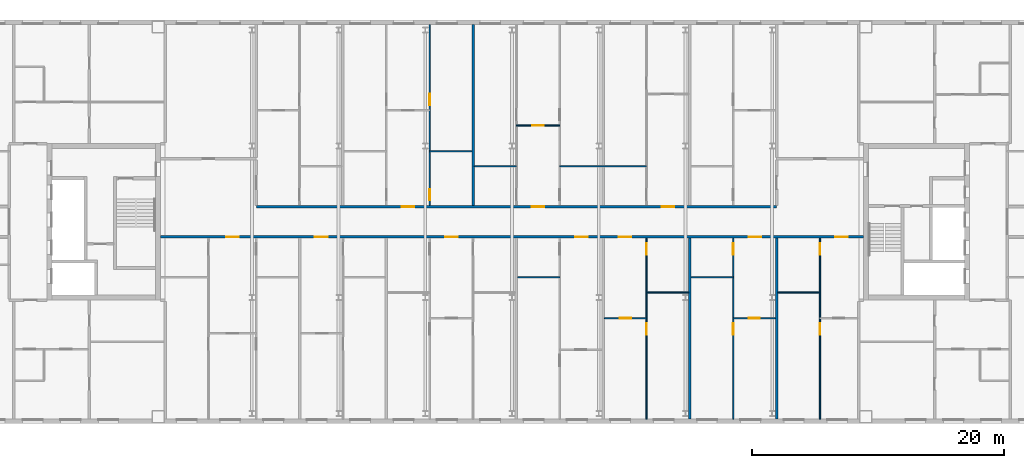
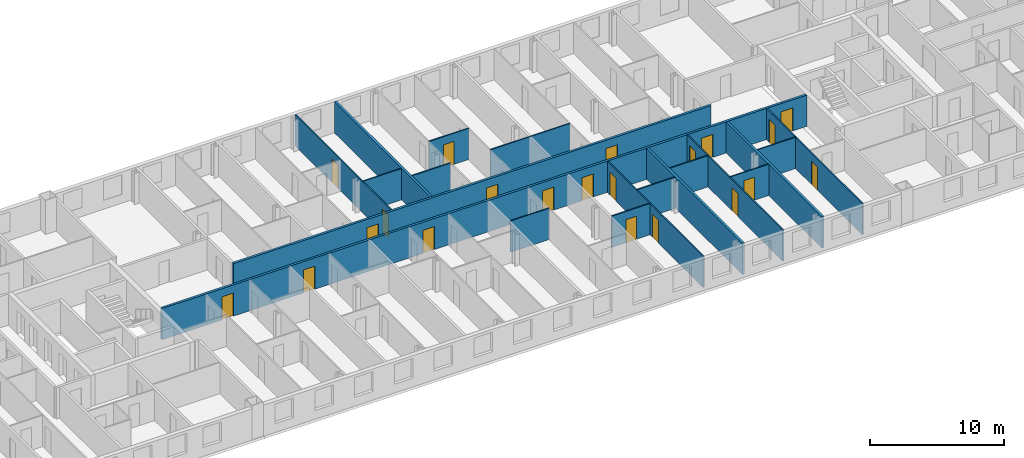
# One storey, part 11 of 19: 21 doors, 19 walls, 21 openings.
"""IFC4 building model written with IfcOpenShell, lengths in metres."""

from ifc_helpers import new_model, si_unit, direction, frame, frame_2d, origin, place, context, subcontext, project, spatial, rectangle, extrude, material, layer, layer_set, type_object, element, fill, save


model = new_model("IFC4")

# Units and contexts
model_context = context("Model", 3, precision=1e-05, world=origin(), true_north=direction((0.0, 1.0)))
body_context = subcontext(model_context, "Body", "Model", "MODEL_VIEW")
ifc_project = project(units=[si_unit("LENGTHUNIT", "METRE"), si_unit("AREAUNIT", "SQUARE_METRE"), si_unit("VOLUMEUNIT", "CUBIC_METRE"), si_unit("PLANEANGLEUNIT", "RADIAN"), si_unit("MASSUNIT", "GRAM", prefix="KILO")], contexts=[model_context])

# Site, building, storey
site_placement = place(None, origin())
site = spatial("IfcSite", under=ifc_project, at=site_placement, CompositionType="ELEMENT")
building_placement = place(site_placement, origin())
building = spatial("IfcBuilding", under=site, at=building_placement, Name="Tuart Gate Housing", CompositionType="ELEMENT")
storey_placement = place(building_placement, frame((0.0, 0.0, 233.800048828125)))
storey = spatial("IfcBuildingStorey", under=building, at=storey_placement, Name="L66", CompositionType="ELEMENT", Elevation=233.800048828125)

# Wall, openings, doors
ifc_material_1 = material(Name="Concrete masonry 15 MPa", Category="masonry")
ifc_layer_1 = layer(ifc_material_1, 0.199951171875)
ifc_layer_set_1 = layer_set([ifc_layer_1], Name="Corridor wall masonry 200")
wall_type_1 = type_object("IfcWallType", Name="Corridor wall masonry 200", PredefinedType="PARTITIONING", material=ifc_layer_set_1)
wall_1_placement = place(storey_placement, frame((75.639892578125, 68.800048828125, 0.0), z_axis=(0.0, 0.0, 1.0), x_axis=(1.0, 0.0, 0.0)))
wall_1 = element("IfcWall", 1, at=wall_1_placement, inside=storey, type_object=wall_type_1, Name="Corridor wall masonry 200", PredefinedType="PARTITIONING", context=body_context, shape_type="SweptSolid", body=[
    extrude(rectangle(XDim=55.72021484375, YDim=0.199951171875, at=frame_2d((27.860107421875, 0.0))), origin(), (0.0, 0.0, 1.0), 2.849853515625),
])
opening_1_placement = place(wall_1_placement, frame((5.19140625, 0.0, 0.0)))
opening_1 = element("IfcOpeningElement", 2, at=opening_1_placement, cuts=wall_1, Name="Opening D2525", PredefinedType="OPENING", context=body_context, shape_type="SweptSolid", body=[
    extrude(rectangle(XDim=1.0, YDim=2.10009765625, at=frame_2d((0.5, 1.050048828125))), frame((0.0, 0.10986328125, 0.0), z_axis=(0.0, -1.0, 0.0), x_axis=(1.0, 0.0, 0.0)), (0.0, 0.0, 1.0), 0.219970703125),
])
opening_2_placement = place(wall_1_placement, frame((12.240966796875, 0.0, 0.0)))
opening_2 = element("IfcOpeningElement", 3, at=opening_2_placement, cuts=wall_1, Name="Opening D2526", PredefinedType="OPENING", context=body_context, shape_type="SweptSolid", body=[
    extrude(rectangle(XDim=1.0, YDim=2.10009765625, at=frame_2d((0.5, 1.050048828125))), frame((0.0, 0.10986328125, 0.0), z_axis=(0.0, -1.0, 0.0), x_axis=(1.0, 0.0, 0.0)), (0.0, 0.0, 1.0), 0.219970703125),
])
opening_3_placement = place(wall_1_placement, frame((22.553466796875, 0.0, 0.0)))
opening_3 = element("IfcOpeningElement", 4, at=opening_3_placement, cuts=wall_1, Name="Opening D2527", PredefinedType="OPENING", context=body_context, shape_type="SweptSolid", body=[
    extrude(rectangle(XDim=1.0, YDim=2.10009765625, at=frame_2d((0.5, 1.050048828125))), frame((0.0, 0.10986328125, 0.0), z_axis=(0.0, -1.0, 0.0), x_axis=(1.0, 0.0, 0.0)), (0.0, 0.0, 1.0), 0.219970703125),
])
opening_4_placement = place(wall_1_placement, frame((32.865966796875, 0.0, 0.0)))
opening_4 = element("IfcOpeningElement", 5, at=opening_4_placement, cuts=wall_1, Name="Opening D2528", PredefinedType="OPENING", context=body_context, shape_type="SweptSolid", body=[
    extrude(rectangle(XDim=1.0, YDim=2.10009765625, at=frame_2d((0.5, 1.050048828125))), frame((0.0, 0.10986328125, 0.0), z_axis=(0.0, -1.0, 0.0), x_axis=(1.0, 0.0, 0.0)), (0.0, 0.0, 1.0), 0.219970703125),
])
opening_5_placement = place(wall_1_placement, frame((36.303466796875, 0.0, 0.0)))
opening_5 = element("IfcOpeningElement", 6, at=opening_5_placement, cuts=wall_1, Name="Opening D2529", PredefinedType="OPENING", context=body_context, shape_type="SweptSolid", body=[
    extrude(rectangle(XDim=1.0, YDim=2.10009765625, at=frame_2d((0.5, 1.050048828125))), frame((0.0, 0.10986328125, 0.0), z_axis=(0.0, -1.0, 0.0), x_axis=(1.0, 0.0, 0.0)), (0.0, 0.0, 1.0), 0.219970703125),
])
opening_6_placement = place(wall_1_placement, frame((46.615966796875, 0.0, 0.0)))
opening_6 = element("IfcOpeningElement", 7, at=opening_6_placement, cuts=wall_1, Name="Opening D2530", PredefinedType="OPENING", context=body_context, shape_type="SweptSolid", body=[
    extrude(rectangle(XDim=1.0, YDim=2.10009765625, at=frame_2d((0.5, 1.050048828125))), frame((0.0, 0.10986328125, 0.0), z_axis=(0.0, -1.0, 0.0), x_axis=(1.0, 0.0, 0.0)), (0.0, 0.0, 1.0), 0.219970703125),
])
opening_7_placement = place(wall_1_placement, frame((53.49609375, 0.0, 0.0)))
opening_7 = element("IfcOpeningElement", 8, at=opening_7_placement, cuts=wall_1, Name="Opening D2531", PredefinedType="OPENING", context=body_context, shape_type="SweptSolid", body=[
    extrude(rectangle(XDim=1.0, YDim=2.10009765625, at=frame_2d((0.5, 1.050048828125))), frame((0.0, 0.10986328125, 0.0), z_axis=(0.0, -1.0, 0.0), x_axis=(1.0, 0.0, 0.0)), (0.0, 0.0, 1.0), 0.219970703125),
])
ifc_material_2 = material(Name="Timber door leaf in steel frame", Category="steel")
door_type_1 = type_object("IfcDoorType", Name="Flat entrance door 1000 RH", OperationType="SINGLE_SWING_RIGHT", PredefinedType="DOOR", material=ifc_material_2)
door_1_placement = place(opening_1_placement, frame((1.0, 0.0, 0.0), z_axis=(0.0, 0.0, 1.0), x_axis=(-1.0, 0.0, 0.0)))
door_1 = element("IfcDoor", 9, at=door_1_placement, inside=storey, type_object=door_type_1, Name="Flat entrance door", OperationType="SINGLE_SWING_RIGHT", OverallHeight=2.10009765625, OverallWidth=1.0, PredefinedType="DOOR", context=body_context, shape_type="SweptSolid", body=[
    extrude(rectangle(XDim=1.0, YDim=2.10009765625, at=frame_2d((0.5, 1.050048828125))), frame((0.0, 0.025146484375, 0.0), z_axis=(0.0, -1.0, 0.0), x_axis=(1.0, 0.0, 0.0)), (0.0, 0.0, 1.0), 0.050048828125),
])
fill(opening_1, door_1)
door_2_placement = place(opening_2_placement, frame((1.0, 0.0, 0.0), z_axis=(0.0, 0.0, 1.0), x_axis=(-1.0, 0.0, 0.0)))
door_2 = element("IfcDoor", 10, at=door_2_placement, inside=storey, type_object=door_type_1, Name="Flat entrance door", OperationType="SINGLE_SWING_RIGHT", OverallHeight=2.10009765625, OverallWidth=1.0, PredefinedType="DOOR", context=body_context, shape_type="SweptSolid", body=[
    extrude(rectangle(XDim=1.0, YDim=2.10009765625, at=frame_2d((0.5, 1.050048828125))), frame((0.0, 0.025146484375, 0.0), z_axis=(0.0, -1.0, 0.0), x_axis=(1.0, 0.0, 0.0)), (0.0, 0.0, 1.0), 0.050048828125),
])
fill(opening_2, door_2)
door_3_placement = place(opening_3_placement, frame((1.0, 0.0, 0.0), z_axis=(0.0, 0.0, 1.0), x_axis=(-1.0, 0.0, 0.0)))
door_3 = element("IfcDoor", 11, at=door_3_placement, inside=storey, type_object=door_type_1, Name="Flat entrance door", OperationType="SINGLE_SWING_RIGHT", OverallHeight=2.10009765625, OverallWidth=1.0, PredefinedType="DOOR", context=body_context, shape_type="SweptSolid", body=[
    extrude(rectangle(XDim=1.0, YDim=2.10009765625, at=frame_2d((0.5, 1.050048828125))), frame((0.0, 0.025146484375, 0.0), z_axis=(0.0, -1.0, 0.0), x_axis=(1.0, 0.0, 0.0)), (0.0, 0.0, 1.0), 0.050048828125),
])
fill(opening_3, door_3)
door_4_placement = place(opening_4_placement, frame((1.0, 0.0, 0.0), z_axis=(0.0, 0.0, 1.0), x_axis=(-1.0, 0.0, 0.0)))
door_4 = element("IfcDoor", 12, at=door_4_placement, inside=storey, type_object=door_type_1, Name="Flat entrance door", OperationType="SINGLE_SWING_RIGHT", OverallHeight=2.10009765625, OverallWidth=1.0, PredefinedType="DOOR", context=body_context, shape_type="SweptSolid", body=[
    extrude(rectangle(XDim=1.0, YDim=2.10009765625, at=frame_2d((0.5, 1.050048828125))), frame((0.0, 0.025146484375, 0.0), z_axis=(0.0, -1.0, 0.0), x_axis=(1.0, 0.0, 0.0)), (0.0, 0.0, 1.0), 0.050048828125),
])
fill(opening_4, door_4)
door_5_placement = place(opening_5_placement, frame((1.0, 0.0, 0.0), z_axis=(0.0, 0.0, 1.0), x_axis=(-1.0, 0.0, 0.0)))
door_5 = element("IfcDoor", 13, at=door_5_placement, inside=storey, type_object=door_type_1, Name="Flat entrance door", OperationType="SINGLE_SWING_RIGHT", OverallHeight=2.10009765625, OverallWidth=1.0, PredefinedType="DOOR", context=body_context, shape_type="SweptSolid", body=[
    extrude(rectangle(XDim=1.0, YDim=2.10009765625, at=frame_2d((0.5, 1.050048828125))), frame((0.0, 0.025146484375, 0.0), z_axis=(0.0, -1.0, 0.0), x_axis=(1.0, 0.0, 0.0)), (0.0, 0.0, 1.0), 0.050048828125),
])
fill(opening_5, door_5)
door_6_placement = place(opening_6_placement, frame((1.0, 0.0, 0.0), z_axis=(0.0, 0.0, 1.0), x_axis=(-1.0, 0.0, 0.0)))
door_6 = element("IfcDoor", 14, at=door_6_placement, inside=storey, type_object=door_type_1, Name="Flat entrance door", OperationType="SINGLE_SWING_RIGHT", OverallHeight=2.10009765625, OverallWidth=1.0, PredefinedType="DOOR", context=body_context, shape_type="SweptSolid", body=[
    extrude(rectangle(XDim=1.0, YDim=2.10009765625, at=frame_2d((0.5, 1.050048828125))), frame((0.0, 0.025146484375, 0.0), z_axis=(0.0, -1.0, 0.0), x_axis=(1.0, 0.0, 0.0)), (0.0, 0.0, 1.0), 0.050048828125),
])
fill(opening_6, door_6)
door_7_placement = place(opening_7_placement, frame((1.0, 0.0, 0.0), z_axis=(0.0, 0.0, 1.0), x_axis=(-1.0, 0.0, 0.0)))
door_7 = element("IfcDoor", 15, at=door_7_placement, inside=storey, type_object=door_type_1, Name="Flat entrance door", OperationType="SINGLE_SWING_RIGHT", OverallHeight=2.10009765625, OverallWidth=1.0, PredefinedType="DOOR", context=body_context, shape_type="SweptSolid", body=[
    extrude(rectangle(XDim=1.0, YDim=2.10009765625, at=frame_2d((0.5, 1.050048828125))), frame((0.0, 0.025146484375, 0.0), z_axis=(0.0, -1.0, 0.0), x_axis=(1.0, 0.0, 0.0)), (0.0, 0.0, 1.0), 0.050048828125),
])
fill(opening_7, door_7)

wall_2_placement = place(storey_placement, frame((83.22509765625, 71.199951171875, 0.0), z_axis=(0.0, 0.0, 1.0), x_axis=(1.0, 0.0, 0.0)))
wall_2 = element("IfcWall", 16, at=wall_2_placement, inside=storey, type_object=wall_type_1, Name="Corridor wall masonry 200", PredefinedType="PARTITIONING", context=body_context, shape_type="SweptSolid", body=[
    extrude(rectangle(XDim=41.25, YDim=0.199951171875, at=frame_2d((20.625, 0.0))), origin(), (0.0, 0.0, 1.0), 2.849853515625),
])
opening_8_placement = place(wall_2_placement, frame((11.531005859375, 0.0, 0.0)))
opening_8 = element("IfcOpeningElement", 17, at=opening_8_placement, cuts=wall_2, Name="Opening D2522", PredefinedType="OPENING", context=body_context, shape_type="SweptSolid", body=[
    extrude(rectangle(XDim=1.0, YDim=2.10009765625, at=frame_2d((0.5, 1.050048828125))), frame((0.0, 0.10986328125, 0.0), z_axis=(0.0, -1.0, 0.0), x_axis=(1.0, 0.0, 0.0)), (0.0, 0.0, 1.0), 0.219970703125),
])
opening_9_placement = place(wall_2_placement, frame((21.843505859375, 0.0, 0.0)))
opening_9 = element("IfcOpeningElement", 18, at=opening_9_placement, cuts=wall_2, Name="Opening D2523", PredefinedType="OPENING", context=body_context, shape_type="SweptSolid", body=[
    extrude(rectangle(XDim=1.0, YDim=2.10009765625, at=frame_2d((0.5, 1.050048828125))), frame((0.0, 0.10986328125, 0.0), z_axis=(0.0, -1.0, 0.0), x_axis=(1.0, 0.0, 0.0)), (0.0, 0.0, 1.0), 0.219970703125),
])
opening_10_placement = place(wall_2_placement, frame((32.156005859375, 0.0, 0.0)))
opening_10 = element("IfcOpeningElement", 19, at=opening_10_placement, cuts=wall_2, Name="Opening D2524", PredefinedType="OPENING", context=body_context, shape_type="SweptSolid", body=[
    extrude(rectangle(XDim=1.0, YDim=2.10009765625, at=frame_2d((0.5, 1.050048828125))), frame((0.0, 0.10986328125, 0.0), z_axis=(0.0, -1.0, 0.0), x_axis=(1.0, 0.0, 0.0)), (0.0, 0.0, 1.0), 0.219970703125),
])
ifc_material_3 = material(Name="Timber door leaf in steel frame", Category="steel")
door_type_2 = type_object("IfcDoorType", Name="Flat entrance door 1000", OperationType="SINGLE_SWING_LEFT", PredefinedType="DOOR", material=ifc_material_3)
door_8_placement = place(opening_8_placement, origin())
door_8 = element("IfcDoor", 20, at=door_8_placement, inside=storey, type_object=door_type_2, Name="Flat entrance door", OperationType="SINGLE_SWING_LEFT", OverallHeight=2.10009765625, OverallWidth=1.0, PredefinedType="DOOR", context=body_context, shape_type="SweptSolid", body=[
    extrude(rectangle(XDim=1.0, YDim=2.10009765625, at=frame_2d((0.5, 1.050048828125))), frame((0.0, 0.02490234375, 0.0), z_axis=(0.0, -1.0, 0.0), x_axis=(1.0, 0.0, 0.0)), (0.0, 0.0, 1.0), 0.050048828125),
])
fill(opening_8, door_8)
door_9_placement = place(opening_9_placement, origin())
door_9 = element("IfcDoor", 21, at=door_9_placement, inside=storey, type_object=door_type_2, Name="Flat entrance door", OperationType="SINGLE_SWING_LEFT", OverallHeight=2.10009765625, OverallWidth=1.0, PredefinedType="DOOR", context=body_context, shape_type="SweptSolid", body=[
    extrude(rectangle(XDim=1.0, YDim=2.10009765625, at=frame_2d((0.5, 1.050048828125))), frame((0.0, 0.02490234375, 0.0), z_axis=(0.0, -1.0, 0.0), x_axis=(1.0, 0.0, 0.0)), (0.0, 0.0, 1.0), 0.050048828125),
])
fill(opening_9, door_9)
door_10_placement = place(opening_10_placement, origin())
door_10 = element("IfcDoor", 22, at=door_10_placement, inside=storey, type_object=door_type_2, Name="Flat entrance door", OperationType="SINGLE_SWING_LEFT", OverallHeight=2.10009765625, OverallWidth=1.0, PredefinedType="DOOR", context=body_context, shape_type="SweptSolid", body=[
    extrude(rectangle(XDim=1.0, YDim=2.10009765625, at=frame_2d((0.5, 1.050048828125))), frame((0.0, 0.02490234375, 0.0), z_axis=(0.0, -1.0, 0.0), x_axis=(1.0, 0.0, 0.0)), (0.0, 0.0, 1.0), 0.050048828125),
])
fill(opening_10, door_10)

# Wall, opening, door
ifc_material_4 = material(Name="Gypsum board on steel studs", Category="steel")
ifc_layer_2 = layer(ifc_material_4, 0.10009765625)
ifc_layer_set_2 = layer_set([ifc_layer_2], Name="Partition 100")
wall_type_2 = type_object("IfcWallType", Name="Partition 100", PredefinedType="PARTITIONING", material=ifc_layer_set_2)
wall_3_placement = place(storey_placement, frame((110.824951171875, 62.360107421875, 0.0), z_axis=(0.0, 0.0, 1.0), x_axis=(1.0, 0.0, 0.0)))
wall_3 = element("IfcWall", 23, at=wall_3_placement, inside=storey, type_object=wall_type_2, Name="Partition 100", PredefinedType="PARTITIONING", context=body_context, shape_type="SweptSolid", body=[
    extrude(rectangle(XDim=3.337158203125, YDim=0.10009765625, at=frame_2d((1.66845703125, 0.0))), origin(), (0.0, 0.0, 1.0), 2.849853515625),
])
opening_11_placement = place(wall_3_placement, frame((1.218505859375, 0.0, 0.0)))
opening_11 = element("IfcOpeningElement", 24, at=opening_11_placement, cuts=wall_3, Name="Opening D2533", PredefinedType="OPENING", context=body_context, shape_type="SweptSolid", body=[
    extrude(rectangle(XDim=0.89990234375, YDim=2.10009765625, at=frame_2d((0.449951171875, 1.050048828125))), frame((0.0, 0.06005859375, 0.0), z_axis=(0.0, -1.0, 0.0), x_axis=(1.0, 0.0, 0.0)), (0.0, 0.0, 1.0), 0.1201171875),
])
ifc_material_5 = material(Name="Timber door leaf in steel frame", Category="steel")
door_type_3 = type_object("IfcDoorType", Name="Internal door 900 RH", OperationType="SINGLE_SWING_RIGHT", PredefinedType="DOOR", material=ifc_material_5)
door_11_placement = place(opening_11_placement, origin())
door_11 = element("IfcDoor", 25, at=door_11_placement, inside=storey, type_object=door_type_3, Name="Internal door", OperationType="SINGLE_SWING_RIGHT", OverallHeight=2.10009765625, OverallWidth=0.89990234375, PredefinedType="DOOR", context=body_context, shape_type="SweptSolid", body=[
    extrude(rectangle(XDim=0.89990234375, YDim=2.10009765625, at=frame_2d((0.449951171875, 1.050048828125))), frame((0.0, 0.02490234375, 0.0), z_axis=(0.0, -1.0, 0.0), x_axis=(1.0, 0.0, 0.0)), (0.0, 0.0, 1.0), 0.050048828125),
])
fill(opening_11, door_11)

wall_4_placement = place(storey_placement, frame((121.037109375, 62.360107421875, 0.0), z_axis=(0.0, 0.0, 1.0), x_axis=(1.0, 0.0, 0.0)))
wall_4 = element("IfcWall", 26, at=wall_4_placement, inside=storey, type_object=wall_type_2, Name="Partition 100", PredefinedType="PARTITIONING", context=body_context, shape_type="SweptSolid", body=[
    extrude(rectangle(XDim=3.337890625, YDim=0.10009765625, at=frame_2d((1.6689453125, 0.0))), origin(), (0.0, 0.0, 1.0), 2.849853515625),
])
opening_12_placement = place(wall_4_placement, frame((1.218994140625, 0.0, 0.0)))
opening_12 = element("IfcOpeningElement", 27, at=opening_12_placement, cuts=wall_4, Name="Opening D2534", PredefinedType="OPENING", context=body_context, shape_type="SweptSolid", body=[
    extrude(rectangle(XDim=0.89990234375, YDim=2.10009765625, at=frame_2d((0.449951171875, 1.050048828125))), frame((0.0, 0.06005859375, 0.0), z_axis=(0.0, -1.0, 0.0), x_axis=(1.0, 0.0, 0.0)), (0.0, 0.0, 1.0), 0.1201171875),
])
ifc_material_6 = material(Name="Timber door leaf in steel frame", Category="steel")
door_type_4 = type_object("IfcDoorType", Name="Internal door 900", OperationType="SINGLE_SWING_LEFT", PredefinedType="DOOR", material=ifc_material_6)
door_12_placement = place(opening_12_placement, origin())
door_12 = element("IfcDoor", 28, at=door_12_placement, inside=storey, type_object=door_type_4, Name="Internal door", OperationType="SINGLE_SWING_LEFT", OverallHeight=2.10009765625, OverallWidth=0.89990234375, PredefinedType="DOOR", context=body_context, shape_type="SweptSolid", body=[
    extrude(rectangle(XDim=0.89990234375, YDim=2.10009765625, at=frame_2d((0.449951171875, 1.050048828125))), frame((0.0, 0.02490234375, 0.0), z_axis=(0.0, -1.0, 0.0), x_axis=(1.0, 0.0, 0.0)), (0.0, 0.0, 1.0), 0.050048828125),
])
fill(opening_12, door_12)

# Walls
wall_5_placement = place(storey_placement, frame((114.162109375, 64.39990234375, 0.0), z_axis=(0.0, 0.0, 1.0), x_axis=(1.0, 0.0, 0.0)))
element("IfcWall", 29, at=wall_5_placement, inside=storey, type_object=wall_type_2, Name="Partition 100", PredefinedType="PARTITIONING", context=body_context, shape_type="SweptSolid", body=[
    extrude(rectangle(XDim=3.337890625, YDim=0.10009765625, at=frame_2d((1.6689453125, 0.0))), origin(), (0.0, 0.0, 1.0), 2.849853515625),
])
for number, where, z_axis, x_axis, name in (
    (30, (124.574951171875, 64.39990234375, 0.0), (0.0, 0.0, 1.0), (1.0, 0.0, 0.0), "Partition 100"),
    (31, (103.949951171875, 65.60009765625, 0.0), (0.0, 0.0, 1.0), (1.0, 0.0, 0.0), "Partition 100"),
    (32, (117.699951171875, 65.60009765625, 0.0), (0.0, 0.0, 1.0), (1.0, 0.0, 0.0), "Partition 100"),
):
    element("IfcWall", number, at=place(storey_placement, frame(where, z_axis=z_axis, x_axis=x_axis)), inside=storey, type_object=wall_type_2, Name=name, PredefinedType="PARTITIONING", context=body_context, shape_type="SweptSolid", body=[
        extrude(rectangle(XDim=3.337158203125, YDim=0.10009765625, at=frame_2d((1.66845703125, 0.0))), origin(), (0.0, 0.0, 1.0), 2.849853515625),
    ])
wall_6_placement = place(storey_placement, frame((100.511962890625, 74.39990234375, 0.0), z_axis=(0.0, 0.0, 1.0), x_axis=(1.0, 0.0, 0.0)))
element("IfcWall", 33, at=wall_6_placement, inside=storey, type_object=wall_type_2, Name="Partition 100", PredefinedType="PARTITIONING", context=body_context, shape_type="SweptSolid", body=[
    extrude(rectangle(XDim=3.338134765625, YDim=0.10009765625, at=frame_2d((1.6689453125, 0.0))), origin(), (0.0, 0.0, 1.0), 2.849853515625),
])
wall_7_placement = place(storey_placement, frame((107.287109375, 74.39990234375, 0.0), z_axis=(0.0, 0.0, 1.0), x_axis=(1.0, 0.0, 0.0)))
element("IfcWall", 34, at=wall_7_placement, inside=storey, type_object=wall_type_2, Name="Partition 100", PredefinedType="PARTITIONING", context=body_context, shape_type="SweptSolid", body=[
    extrude(rectangle(XDim=6.875, YDim=0.10009765625, at=frame_2d((3.4375, 0.0))), origin(), (0.0, 0.0, 1.0), 2.849853515625),
])
wall_8_placement = place(storey_placement, frame((96.97509765625, 75.60009765625, 0.0), z_axis=(0.0, 0.0, 1.0), x_axis=(1.0, 0.0, 0.0)))
element("IfcWall", 35, at=wall_8_placement, inside=storey, type_object=wall_type_2, Name="Partition 100", PredefinedType="PARTITIONING", context=body_context, shape_type="SweptSolid", body=[
    extrude(rectangle(XDim=3.3369140625, YDim=0.10009765625, at=frame_2d((1.66845703125, 0.0))), origin(), (0.0, 0.0, 1.0), 2.849853515625),
])

# Wall, opening, door
wall_9_placement = place(storey_placement, frame((103.85009765625, 77.639892578125, 0.0), z_axis=(0.0, 0.0, 1.0), x_axis=(1.0, 0.0, 0.0)))
wall_9 = element("IfcWall", 36, at=wall_9_placement, inside=storey, type_object=wall_type_2, Name="Partition 100", PredefinedType="PARTITIONING", context=body_context, shape_type="SweptSolid", body=[
    extrude(rectangle(XDim=3.43701171875, YDim=0.10009765625, at=frame_2d((1.718505859375, 0.0))), origin(), (0.0, 0.0, 1.0), 2.849853515625),
])
opening_13_placement = place(wall_9_placement, frame((1.2685546875, 0.0, 0.0)))
opening_13 = element("IfcOpeningElement", 37, at=opening_13_placement, cuts=wall_9, Name="Opening D2517", PredefinedType="OPENING", context=body_context, shape_type="SweptSolid", body=[
    extrude(rectangle(XDim=0.89990234375, YDim=2.10009765625, at=frame_2d((0.449951171875, 1.050048828125))), frame((0.0, 0.06005859375, 0.0), z_axis=(0.0, -1.0, 0.0), x_axis=(1.0, 0.0, 0.0)), (0.0, 0.0, 1.0), 0.1201171875),
])
door_13_placement = place(opening_13_placement, frame((0.89990234375, 0.0, 0.0), z_axis=(0.0, 0.0, 1.0), x_axis=(-1.0, 0.0, 0.0)))
door_13 = element("IfcDoor", 38, at=door_13_placement, inside=storey, type_object=door_type_3, Name="Internal door", OperationType="SINGLE_SWING_RIGHT", OverallHeight=2.10009765625, OverallWidth=0.89990234375, PredefinedType="DOOR", context=body_context, shape_type="SweptSolid", body=[
    extrude(rectangle(XDim=0.89990234375, YDim=2.10009765625, at=frame_2d((0.449951171875, 1.050048828125))), frame((0.0, 0.025146484375, 0.0), z_axis=(0.0, -1.0, 0.0), x_axis=(1.0, 0.0, 0.0)), (0.0, 0.0, 1.0), 0.050048828125),
])
fill(opening_13, door_13)

# Wall, openings, doors
wall_10_placement = place(storey_placement, frame((96.97509765625, 71.300048828125, 0.0), z_axis=(0.0, 0.0, 1.0), x_axis=(0.0, 1.0, 0.0)))
wall_10 = element("IfcWall", 39, at=wall_10_placement, inside=storey, type_object=wall_type_2, Name="Partition 100", PredefinedType="PARTITIONING", context=body_context, shape_type="SweptSolid", body=[
    extrude(rectangle(XDim=14.33984375, YDim=0.10009765625, at=frame_2d((7.169921875, 0.0))), origin(), (0.0, 0.0, 1.0), 2.849853515625),
])
opening_14_placement = place(wall_10_placement, frame((7.93994140625, 0.0, 0.0)))
opening_14 = element("IfcOpeningElement", 40, at=opening_14_placement, cuts=wall_10, Name="Opening D2508", PredefinedType="OPENING", context=body_context, shape_type="SweptSolid", body=[
    extrude(rectangle(XDim=0.89990234375, YDim=2.10009765625, at=frame_2d((0.449951171875, 1.050048828125))), frame((0.0, 0.06005859375, 0.0), z_axis=(0.0, -1.0, 0.0), x_axis=(1.0, 0.0, 0.0)), (0.0, 0.0, 1.0), 0.1201171875),
])
opening_15_placement = place(wall_10_placement, frame((0.39990234375, 0.0, 0.0)))
opening_15 = element("IfcOpeningElement", 41, at=opening_15_placement, cuts=wall_10, Name="Opening D2507", PredefinedType="OPENING", context=body_context, shape_type="SweptSolid", body=[
    extrude(rectangle(XDim=0.89990234375, YDim=2.10009765625, at=frame_2d((0.449951171875, 1.050048828125))), frame((0.0, 0.06005859375, 0.0), z_axis=(0.0, -1.0, 0.0), x_axis=(1.0, 0.0, 0.0)), (0.0, 0.0, 1.0), 0.1201171875),
])
ifc_material_7 = material(Name="Timber door leaf in steel frame", Category="steel")
door_type_5 = type_object("IfcDoorType", Name="Bathroom door 900 RH", OperationType="SINGLE_SWING_RIGHT", PredefinedType="DOOR", material=ifc_material_7)
door_14_placement = place(opening_15_placement, frame((0.89990234375, 0.0, 0.0), z_axis=(0.0, 0.0, 1.0), x_axis=(-1.0, 0.0, 0.0)))
door_14 = element("IfcDoor", 42, at=door_14_placement, inside=storey, type_object=door_type_5, Name="Bathroom door", OperationType="SINGLE_SWING_RIGHT", OverallHeight=2.10009765625, OverallWidth=0.89990234375, PredefinedType="DOOR", context=body_context, shape_type="SweptSolid", body=[
    extrude(rectangle(XDim=0.89990234375, YDim=2.10009765625, at=frame_2d((0.449951171875, 1.050048828125))), frame((0.0, 0.025146484375, 0.0), z_axis=(0.0, -1.0, 0.0), x_axis=(1.0, 0.0, 0.0)), (0.0, 0.0, 1.0), 0.050048828125),
])
fill(opening_15, door_14)
door_15_placement = place(opening_14_placement, frame((0.89990234375, 0.0, 0.0), z_axis=(0.0, 0.0, 1.0), x_axis=(-1.0, 0.0, 0.0)))
door_15 = element("IfcDoor", 43, at=door_15_placement, inside=storey, type_object=door_type_3, Name="Internal door", OperationType="SINGLE_SWING_RIGHT", OverallHeight=2.10009765625, OverallWidth=0.89990234375, PredefinedType="DOOR", context=body_context, shape_type="SweptSolid", body=[
    extrude(rectangle(XDim=0.89990234375, YDim=2.10009765625, at=frame_2d((0.449951171875, 1.050048828125))), frame((0.0, 0.025146484375, 0.0), z_axis=(0.0, -1.0, 0.0), x_axis=(1.0, 0.0, 0.0)), (0.0, 0.0, 1.0), 0.050048828125),
])
fill(opening_14, door_15)

wall_11_placement = place(storey_placement, frame((114.162109375, 54.360107421875, 0.0), z_axis=(0.0, 0.0, 1.0), x_axis=(0.0, 1.0, 0.0)))
wall_11 = element("IfcWall", 44, at=wall_11_placement, inside=storey, type_object=wall_type_2, Name="Partition 100", PredefinedType="PARTITIONING", context=body_context, shape_type="SweptSolid", body=[
    extrude(rectangle(XDim=14.33984375, YDim=0.10009765625, at=frame_2d((7.169921875, 0.0))), origin(), (0.0, 0.0, 1.0), 2.849853515625),
])
opening_16_placement = place(wall_11_placement, frame((6.699951171875, 0.0, 0.0)))
opening_16 = element("IfcOpeningElement", 45, at=opening_16_placement, cuts=wall_11, Name="Opening D2549", PredefinedType="OPENING", context=body_context, shape_type="SweptSolid", body=[
    extrude(rectangle(XDim=0.89990234375, YDim=2.10009765625, at=frame_2d((0.449951171875, 1.050048828125))), frame((0.0, 0.06005859375, 0.0), z_axis=(0.0, -1.0, 0.0), x_axis=(1.0, 0.0, 0.0)), (0.0, 0.0, 1.0), 0.1201171875),
])
opening_17_placement = place(wall_11_placement, frame((13.0400390625, 0.0, 0.0)))
opening_17 = element("IfcOpeningElement", 46, at=opening_17_placement, cuts=wall_11, Name="Opening D2548", PredefinedType="OPENING", context=body_context, shape_type="SweptSolid", body=[
    extrude(rectangle(XDim=0.89990234375, YDim=2.10009765625, at=frame_2d((0.449951171875, 1.050048828125))), frame((0.0, 0.06005859375, 0.0), z_axis=(0.0, -1.0, 0.0), x_axis=(1.0, 0.0, 0.0)), (0.0, 0.0, 1.0), 0.1201171875),
])
ifc_material_8 = material(Name="Timber door leaf in steel frame", Category="steel")
door_type_6 = type_object("IfcDoorType", Name="Bathroom door 900", OperationType="SINGLE_SWING_LEFT", PredefinedType="DOOR", material=ifc_material_8)
door_16_placement = place(opening_17_placement, frame((0.89990234375, 0.0, 0.0), z_axis=(0.0, 0.0, 1.0), x_axis=(-1.0, 0.0, 0.0)))
door_16 = element("IfcDoor", 47, at=door_16_placement, inside=storey, type_object=door_type_6, Name="Bathroom door", OperationType="SINGLE_SWING_LEFT", OverallHeight=2.10009765625, OverallWidth=0.89990234375, PredefinedType="DOOR", context=body_context, shape_type="SweptSolid", body=[
    extrude(rectangle(XDim=0.89990234375, YDim=2.10009765625, at=frame_2d((0.449951171875, 1.050048828125))), frame((0.0, 0.025146484375, 0.0), z_axis=(0.0, -1.0, 0.0), x_axis=(1.0, 0.0, 0.0)), (0.0, 0.0, 1.0), 0.050048828125),
])
fill(opening_17, door_16)
door_17_placement = place(opening_16_placement, frame((0.89990234375, 0.0, 0.0), z_axis=(0.0, 0.0, 1.0), x_axis=(-1.0, 0.0, 0.0)))
door_17 = element("IfcDoor", 48, at=door_17_placement, inside=storey, type_object=door_type_4, Name="Internal door", OperationType="SINGLE_SWING_LEFT", OverallHeight=2.10009765625, OverallWidth=0.89990234375, PredefinedType="DOOR", context=body_context, shape_type="SweptSolid", body=[
    extrude(rectangle(XDim=0.89990234375, YDim=2.10009765625, at=frame_2d((0.449951171875, 1.050048828125))), frame((0.0, 0.025146484375, 0.0), z_axis=(0.0, -1.0, 0.0), x_axis=(1.0, 0.0, 0.0)), (0.0, 0.0, 1.0), 0.050048828125),
])
fill(opening_16, door_17)

wall_12_placement = place(storey_placement, frame((121.037109375, 54.360107421875, 0.0), z_axis=(0.0, 0.0, 1.0), x_axis=(0.0, 1.0, 0.0)))
wall_12 = element("IfcWall", 49, at=wall_12_placement, inside=storey, type_object=wall_type_2, Name="Partition 100", PredefinedType="PARTITIONING", context=body_context, shape_type="SweptSolid", body=[
    extrude(rectangle(XDim=14.33984375, YDim=0.10009765625, at=frame_2d((7.169921875, 0.0))), origin(), (0.0, 0.0, 1.0), 2.849853515625),
])
opening_18_placement = place(wall_12_placement, frame((6.699951171875, 0.0, 0.0)))
opening_18 = element("IfcOpeningElement", 50, at=opening_18_placement, cuts=wall_12, Name="Opening D2551", PredefinedType="OPENING", context=body_context, shape_type="SweptSolid", body=[
    extrude(rectangle(XDim=0.89990234375, YDim=2.10009765625, at=frame_2d((0.449951171875, 1.050048828125))), frame((0.0, 0.06005859375, 0.0), z_axis=(0.0, -1.0, 0.0), x_axis=(1.0, 0.0, 0.0)), (0.0, 0.0, 1.0), 0.1201171875),
])
opening_19_placement = place(wall_12_placement, frame((13.0400390625, 0.0, 0.0)))
opening_19 = element("IfcOpeningElement", 51, at=opening_19_placement, cuts=wall_12, Name="Opening D2550", PredefinedType="OPENING", context=body_context, shape_type="SweptSolid", body=[
    extrude(rectangle(XDim=0.89990234375, YDim=2.10009765625, at=frame_2d((0.449951171875, 1.050048828125))), frame((0.0, 0.06005859375, 0.0), z_axis=(0.0, -1.0, 0.0), x_axis=(1.0, 0.0, 0.0)), (0.0, 0.0, 1.0), 0.1201171875),
])
door_18_placement = place(opening_19_placement, origin())
door_18 = element("IfcDoor", 52, at=door_18_placement, inside=storey, type_object=door_type_5, Name="Bathroom door", OperationType="SINGLE_SWING_RIGHT", OverallHeight=2.10009765625, OverallWidth=0.89990234375, PredefinedType="DOOR", context=body_context, shape_type="SweptSolid", body=[
    extrude(rectangle(XDim=0.89990234375, YDim=2.10009765625, at=frame_2d((0.449951171875, 1.050048828125))), frame((0.0, 0.02490234375, 0.0), z_axis=(0.0, -1.0, 0.0), x_axis=(1.0, 0.0, 0.0)), (0.0, 0.0, 1.0), 0.050048828125),
])
fill(opening_19, door_18)
door_19_placement = place(opening_18_placement, origin())
door_19 = element("IfcDoor", 53, at=door_19_placement, inside=storey, type_object=door_type_3, Name="Internal door", OperationType="SINGLE_SWING_RIGHT", OverallHeight=2.10009765625, OverallWidth=0.89990234375, PredefinedType="DOOR", context=body_context, shape_type="SweptSolid", body=[
    extrude(rectangle(XDim=0.89990234375, YDim=2.10009765625, at=frame_2d((0.449951171875, 1.050048828125))), frame((0.0, 0.02490234375, 0.0), z_axis=(0.0, -1.0, 0.0), x_axis=(1.0, 0.0, 0.0)), (0.0, 0.0, 1.0), 0.050048828125),
])
fill(opening_18, door_19)

wall_13_placement = place(storey_placement, frame((127.912109375, 54.360107421875, 0.0), z_axis=(0.0, 0.0, 1.0), x_axis=(0.0, 1.0, 0.0)))
wall_13 = element("IfcWall", 54, at=wall_13_placement, inside=storey, type_object=wall_type_2, Name="Partition 100", PredefinedType="PARTITIONING", context=body_context, shape_type="SweptSolid", body=[
    extrude(rectangle(XDim=14.33984375, YDim=0.10009765625, at=frame_2d((7.169921875, 0.0))), origin(), (0.0, 0.0, 1.0), 2.849853515625),
])
opening_20_placement = place(wall_13_placement, frame((6.699951171875, 0.0, 0.0)))
opening_20 = element("IfcOpeningElement", 55, at=opening_20_placement, cuts=wall_13, Name="Opening D2553", PredefinedType="OPENING", context=body_context, shape_type="SweptSolid", body=[
    extrude(rectangle(XDim=0.89990234375, YDim=2.10009765625, at=frame_2d((0.449951171875, 1.050048828125))), frame((0.0, 0.06005859375, 0.0), z_axis=(0.0, -1.0, 0.0), x_axis=(1.0, 0.0, 0.0)), (0.0, 0.0, 1.0), 0.1201171875),
])
opening_21_placement = place(wall_13_placement, frame((13.0400390625, 0.0, 0.0)))
opening_21 = element("IfcOpeningElement", 56, at=opening_21_placement, cuts=wall_13, Name="Opening D2552", PredefinedType="OPENING", context=body_context, shape_type="SweptSolid", body=[
    extrude(rectangle(XDim=0.89990234375, YDim=2.10009765625, at=frame_2d((0.449951171875, 1.050048828125))), frame((0.0, 0.06005859375, 0.0), z_axis=(0.0, -1.0, 0.0), x_axis=(1.0, 0.0, 0.0)), (0.0, 0.0, 1.0), 0.1201171875),
])
door_20_placement = place(opening_21_placement, origin())
door_20 = element("IfcDoor", 57, at=door_20_placement, inside=storey, type_object=door_type_5, Name="Bathroom door", OperationType="SINGLE_SWING_RIGHT", OverallHeight=2.10009765625, OverallWidth=0.89990234375, PredefinedType="DOOR", context=body_context, shape_type="SweptSolid", body=[
    extrude(rectangle(XDim=0.89990234375, YDim=2.10009765625, at=frame_2d((0.449951171875, 1.050048828125))), frame((0.0, 0.02490234375, 0.0), z_axis=(0.0, -1.0, 0.0), x_axis=(1.0, 0.0, 0.0)), (0.0, 0.0, 1.0), 0.050048828125),
])
fill(opening_21, door_20)
door_21_placement = place(opening_20_placement, origin())
door_21 = element("IfcDoor", 58, at=door_21_placement, inside=storey, type_object=door_type_3, Name="Internal door", OperationType="SINGLE_SWING_RIGHT", OverallHeight=2.10009765625, OverallWidth=0.89990234375, PredefinedType="DOOR", context=body_context, shape_type="SweptSolid", body=[
    extrude(rectangle(XDim=0.89990234375, YDim=2.10009765625, at=frame_2d((0.449951171875, 1.050048828125))), frame((0.0, 0.02490234375, 0.0), z_axis=(0.0, -1.0, 0.0), x_axis=(1.0, 0.0, 0.0)), (0.0, 0.0, 1.0), 0.050048828125),
])
fill(opening_20, door_21)

# Walls
ifc_material_9 = material(Name="Concrete masonry 15 MPa", Category="masonry")
ifc_layer_3 = layer(ifc_material_9, 0.199951171875)
ifc_layer_set_3 = layer_set([ifc_layer_3], Name="Party wall masonry 200")
wall_type_3 = type_object("IfcWallType", Name="Party wall masonry 200", PredefinedType="PARTITIONING", material=ifc_layer_set_3)
for number, where, z_axis, x_axis, name in (
    (59, (100.412109375, 71.300048828125, 0.0), (0.0, 0.0, 1.0), (0.0, 1.0, 0.0), "Party wall masonry 200"),
    (60, (117.60009765625, 54.360107421875, 0.0), (0.0, 0.0, 1.0), (0.0, 1.0, 0.0), "Party wall masonry 200"),
    (61, (124.47509765625, 54.360107421875, 0.0), (0.0, 0.0, 1.0), (0.0, 1.0, 0.0), "Party wall masonry 200"),
):
    element("IfcWall", number, at=place(storey_placement, frame(where, z_axis=z_axis, x_axis=x_axis)), inside=storey, type_object=wall_type_3, Name=name, PredefinedType="PARTITIONING", context=body_context, shape_type="SweptSolid", body=[
        extrude(rectangle(XDim=14.33984375, YDim=0.199951171875, at=frame_2d((7.169921875, 0.0))), origin(), (0.0, 0.0, 1.0), 2.849853515625),
    ])

save(model, "model.ifc")
